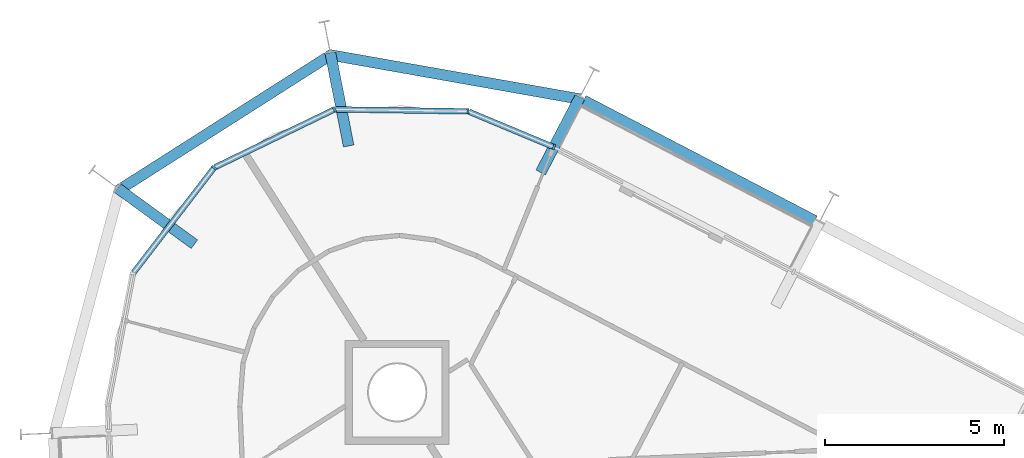
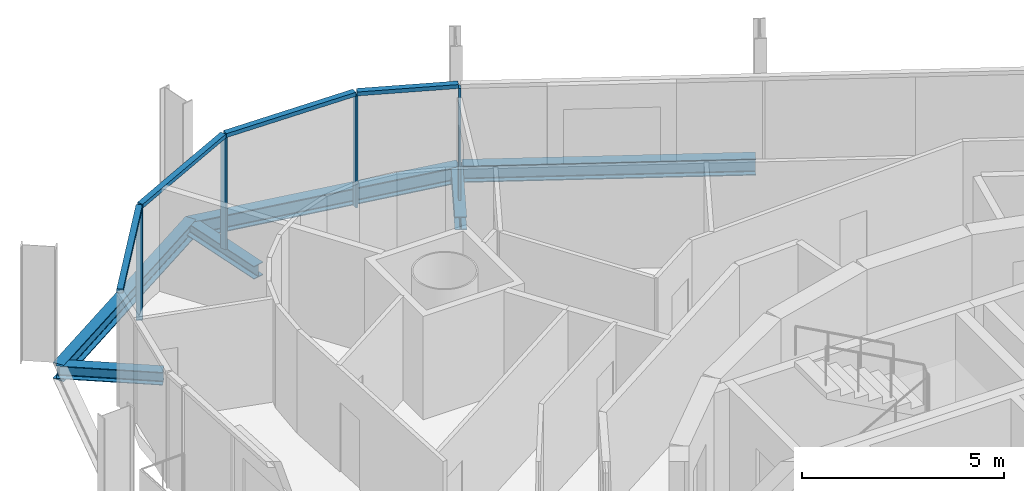
# One storey, part 8 of 18: 8 members, 6 beams, 1 element without a shape of its own.
"""IFC4 building model written with IfcOpenShell, lengths in metres."""

import ifcopenshell
import ifcopenshell.guid

model = None  # the IFC model being written
_history = None  # IfcOwnerHistory: only IFC2X3 demands one
_inside = {}  # id of a spatial element -> (the spatial element, [elements in it])
_under = {}  # id of a project, library or spatial element -> (it, [spatial elements below it])
_declared = {}  # id of a project -> (the project, [libraries it declares])
_typed = {}  # id of a type object -> (the type object, [elements of that type])
_made_of = {}  # id of a material, layer set ... -> (it, [elements and type objects made of it])


def new_model(schema):
    """Start an empty IFC model of exactly this schema.

    Asked for "IFC4X3", IfcOpenShell would pick the latest addendum, in which some entities
    have other attributes; the version numbers below select the first issue.
    IFC2X3 requires an IfcOwnerHistory on every rooted entity: one is made here for all.
    """
    global model, _history
    if schema == "IFC4X3":
        model = ifcopenshell.file(schema_version=(4, 3, 0, 0))
    else:
        model = ifcopenshell.file(schema=schema)
    _inside.clear()
    _under.clear()
    _declared.clear()
    _typed.clear()
    _made_of.clear()
    _history = None
    if model.schema == "IFC2X3":
        org = make("IfcOrganization", Name="unknown")
        user = make(
            "IfcPersonAndOrganization",
            ThePerson=make("IfcPerson", FamilyName="unknown"),
            TheOrganization=org,
        )
        app = make(
            "IfcApplication",
            ApplicationDeveloper=org,
            Version="unknown",
            ApplicationFullName="unknown",
            ApplicationIdentifier="unknown",
        )
        _history = make(
            "IfcOwnerHistory",
            OwningUser=user,
            OwningApplication=app,
            ChangeAction="ADDED",
            CreationDate=0,
        )
    return model


def make(cls, **values):
    """One entity of the class cls with the attributes given. An attribute that is None is left unset."""
    return model.create_entity(
        cls, **{name: value for name, value in values.items() if value is not None}
    )


def rooted(cls, **values):
    """An entity with a GlobalId (a new one), such as an element, a storey or a relation."""
    return make(cls, GlobalId=ifcopenshell.guid.new(), OwnerHistory=_history, **values)


def si_unit(unit_type, name, prefix=None):
    """IfcSIUnit, for example si_unit("LENGTHUNIT", "METRE", prefix="MILLI")."""
    return make("IfcSIUnit", UnitType=unit_type, Prefix=prefix, Name=name)


def assignment(units):
    """IfcUnitAssignment: the units of a project."""
    return None if units is None else make("IfcUnitAssignment", Units=units)


def point(xyz):
    """IfcCartesianPoint."""
    return None if xyz is None else make("IfcCartesianPoint", Coordinates=xyz)


def direction(xyz):
    """IfcDirection."""
    return None if xyz is None else make("IfcDirection", DirectionRatios=xyz)


def frame(location, z_axis=None, x_axis=None):
    """IfcAxis2Placement3D, a coordinate frame: its origin and axes. An axis left out is left unset."""
    return make(
        "IfcAxis2Placement3D",
        Location=point(location),
        Axis=direction(z_axis),
        RefDirection=direction(x_axis),
    )


def frame_2d(location, x_axis=None):
    """IfcAxis2Placement2D, a coordinate frame in the plane: its origin and x axis."""
    return make(
        "IfcAxis2Placement2D", Location=point(location), RefDirection=direction(x_axis)
    )


def origin():
    """The frame at (0, 0, 0) with its axes left unset."""
    return frame((0.0, 0.0, 0.0))


def origin_2d():
    """The frame at (0, 0) in the plane with its x axis left unset."""
    return frame_2d((0.0, 0.0))


def place(relative_to, where):
    """IfcLocalPlacement: puts the frame where relative to a parent placement (None: the world)."""
    return make(
        "IfcLocalPlacement", PlacementRelTo=relative_to, RelativePlacement=where
    )


def context(
    kind, dimensions, precision=None, world=None, true_north=None, identifier=None
):
    """IfcGeometricRepresentationContext, for example the 3D "Model" context."""
    return make(
        "IfcGeometricRepresentationContext",
        ContextIdentifier=identifier,
        ContextType=kind,
        CoordinateSpaceDimension=dimensions,
        Precision=precision,
        WorldCoordinateSystem=world,
        TrueNorth=true_north,
    )


def subcontext(parent, identifier, kind, view, scale=None):
    """IfcGeometricRepresentationSubContext, for example "Body" below "Model"."""
    return make(
        "IfcGeometricRepresentationSubContext",
        ContextIdentifier=identifier,
        ContextType=kind,
        ParentContext=parent,
        TargetScale=scale,
        TargetView=view,
    )


def project(units=None, contexts=None):
    """IfcProject with its units and contexts."""
    return rooted(
        "IfcProject",
        Name="project",
        RepresentationContexts=contexts,
        UnitsInContext=assignment(units),
    )


def spatial(cls, under=None, at=None, **own):
    """A site, building, storey or space (cls), placed at a placement, below another one or the project."""
    s = rooted(cls, ObjectPlacement=at, **own)
    if under is not None:
        _under.setdefault(under.id(), (under, []))[1].append(s)
    return s


def profile(cls, at=None, kind="AREA", **sizes):
    """A parametric profile (cls). Its sizes go by their IFC names, for example OverallWidth=200.0."""
    return make(cls, ProfileType=kind, Position=at, **sizes)


def rectangle(**sizes):
    """IfcRectangleProfileDef."""
    return profile("IfcRectangleProfileDef", **sizes)


def i_section(**sizes):
    """IfcIShapeProfileDef."""
    return profile("IfcIShapeProfileDef", **sizes)


def extrude(swept, where, along, depth):
    """IfcExtrudedAreaSolid: the profile swept, set in the frame where, extruded along a direction by depth."""
    return make(
        "IfcExtrudedAreaSolid",
        SweptArea=swept,
        Position=where,
        ExtrudedDirection=direction(along),
        Depth=depth,
    )


def shape(context_of_items, identifier, shape_type, items):
    """IfcShapeRepresentation: the items that make up one representation, for example the "Body"."""
    return make(
        "IfcShapeRepresentation",
        ContextOfItems=context_of_items,
        RepresentationIdentifier=identifier,
        RepresentationType=shape_type,
        Items=items,
    )


def material(Name=None, Category=None):
    """IfcMaterial."""
    return make("IfcMaterial", Name=Name, Category=Category)


def layer(
    of_material, thickness, ventilated=None, Name=None, Category=None, Priority=None
):
    """IfcMaterialLayer: one layer of a wall or slab, of a material (None: an air gap)."""
    return make(
        "IfcMaterialLayer",
        Material=of_material,
        LayerThickness=thickness,
        IsVentilated=ventilated,
        Name=Name,
        Category=Category,
        Priority=Priority,
    )


def layer_set(layers, Name=None):
    """IfcMaterialLayerSet."""
    return make("IfcMaterialLayerSet", MaterialLayers=layers, LayerSetName=Name)


def material_profile(
    of_material, cross_section, Name=None, Category=None, Priority=None
):
    """IfcMaterialProfile: a cross section and its material."""
    return make(
        "IfcMaterialProfile",
        Name=Name,
        Material=of_material,
        Profile=cross_section,
        Priority=Priority,
        Category=Category,
    )


def profile_set(profiles, Name=None, composite=None):
    """IfcMaterialProfileSet."""
    return make(
        "IfcMaterialProfileSet",
        Name=Name,
        MaterialProfiles=profiles,
        CompositeProfile=composite,
    )


def made_of(thing, what):
    """Note that an element or type object is made of a material, layer set ...; save() writes the relation."""
    if what is not None:
        _made_of.setdefault(what.id(), (what, []))[1].append(thing)
    return thing


def type_object(cls, material=None, **own):
    """A type object (cls), such as IfcWallType, which elements share."""
    return made_of(rooted(cls, **own), material)


def element(
    cls,
    number,
    at=None,
    inside=None,
    cuts=None,
    type_object=None,
    material=None,
    context=None,
    identifier="Body",
    shape_type=None,
    held_by="IfcProductDefinitionShape",
    body=None,
    shapes=None,
    **own,
):
    """One element of the class cls, such as IfcWall. Its Tag is "e" and its number.

    at: its placement. inside: the storey or other place that contains it. cuts: it is an
    opening in that element (IfcRelVoidsElement). A single representation is given by context,
    identifier, shape_type and body (its items); several are given by shapes. held_by: the class
    of the entity that holds the representations. save() writes the other relations.
    """
    e = rooted(cls, Tag="e%d" % number, ObjectPlacement=at, **own)
    if body is not None:
        shapes = [shape(context, identifier, shape_type, body)]
    if shapes is not None:
        e.Representation = make(held_by, Representations=shapes)
    if inside is not None:
        _inside.setdefault(inside.id(), (inside, []))[1].append(e)
    if cuts is not None:
        rooted(
            "IfcRelVoidsElement", RelatingBuildingElement=cuts, RelatedOpeningElement=e
        )
    if type_object is not None:
        _typed.setdefault(type_object.id(), (type_object, []))[1].append(e)
    return made_of(e, material)


def aggregate(whole, parts):
    """IfcRelAggregates: a whole, such as a stair, and the parts it consists of."""
    return rooted("IfcRelAggregates", RelatingObject=whole, RelatedObjects=parts)


def save(model, path):
    """Write the relations noted so far, then the file.

    IfcRelAggregates (storeys below a building ...), IfcRelContainedInSpatialStructure (elements
    in a storey), IfcRelDefinesByType, IfcRelAssociatesMaterial and IfcRelDeclares: one each for
    every whole, place, type object, material and project.
    """
    for whole, parts in _under.values():
        aggregate(whole, parts)
    for where, things in _inside.values():
        rooted(
            "IfcRelContainedInSpatialStructure",
            RelatedElements=things,
            RelatingStructure=where,
        )
    for kind, things in _typed.values():
        rooted("IfcRelDefinesByType", RelatedObjects=things, RelatingType=kind)
    for what, things in _made_of.values():
        rooted("IfcRelAssociatesMaterial", RelatedObjects=things, RelatingMaterial=what)
    for by, libraries in _declared.values():
        rooted("IfcRelDeclares", RelatingContext=by, RelatedDefinitions=libraries)
    model.write(path)


model = new_model("IFC4")

# Units and contexts
model_context = context("Model", 3, precision=1e-05, world=origin(), true_north=direction((0.0, 1.0)))
body_context = subcontext(model_context, "Body", "Model", "MODEL_VIEW")
ifc_project = project(units=[si_unit("LENGTHUNIT", "METRE"), si_unit("AREAUNIT", "SQUARE_METRE"), si_unit("VOLUMEUNIT", "CUBIC_METRE"), si_unit("PLANEANGLEUNIT", "RADIAN"), si_unit("MASSUNIT", "GRAM", prefix="KILO")], contexts=[model_context])

# Site, building, storey
site_placement = place(None, origin())
site = spatial("IfcSite", under=ifc_project, at=site_placement, CompositionType="ELEMENT")
building_placement = place(site_placement, origin())
building = spatial("IfcBuilding", under=site, at=building_placement, Name="Spindle Arch Residences", CompositionType="ELEMENT")
storey_placement = place(building_placement, frame((0.0, 0.0, 233.699951171875)))
storey = spatial("IfcBuildingStorey", under=building, at=storey_placement, Name="L59", CompositionType="ELEMENT", Elevation=233.699951171875)

# Curtain wall, members
ifc_material_1 = material(Name="Aluminium bronze unitised frame with tinted glass", Category="aluminium")
ifc_layer = layer(ifc_material_1, 0.159912109375)
ifc_layer_set = layer_set([ifc_layer], Name="CW-D corner wall on the fillet arcs")
curtain_wall_type = type_object("IfcCurtainWallType", Name="CW-D corner wall on the fillet arcs", PredefinedType="NOTDEFINED", material=ifc_layer_set)
curtain_wall_placement = place(storey_placement, origin())
curtain_wall = element("IfcCurtainWall", 1, at=curtain_wall_placement, inside=storey, type_object=curtain_wall_type, Name="CW-D L59 run 3", PredefinedType="NOTDEFINED")
ifc_material_2 = material(Name="Aluminium bronze anodised mullion", Category="aluminium")
ifc_material_profile_1 = material_profile(ifc_material_2, rectangle(XDim=0.159912109375, YDim=0.06005859375, at=origin_2d()), Name="MU 60x160")
ifc_profile_set_1 = profile_set([ifc_material_profile_1], Name="Aluminium bronze anodised mullion")
member_type_1 = type_object("IfcMemberType", Name="Bronze mullion 60x160", PredefinedType="MULLION", material=ifc_profile_set_1)
member_1_placement = place(storey_placement, frame((-6.19970703125, 23.423828125, -0.3798828125), z_axis=(0.0, 0.0, 1.0), x_axis=(-0.385552013734, -0.92268610302, 0.0)))
member_1 = element("IfcMember", 2, at=member_1_placement, type_object=member_type_1, Name="CW-D mullion 00", PredefinedType="MULLION", context=body_context, shape_type="SweptSolid", body=[
    extrude(rectangle(XDim=0.159912109375, YDim=0.06005859375, at=origin_2d()), origin(), (0.0, 0.0, 1.0), 3.3798828125),
])
member_2_placement = place(storey_placement, frame((-8.590576171875, 24.422607421875, -0.3798828125), z_axis=(0.0, 0.0, 1.0), x_axis=(-0.014543896145, -0.999894231949, 0.0)))
member_2 = element("IfcMember", 3, at=member_2_placement, type_object=member_type_1, Name="CW-D mullion 01", PredefinedType="MULLION", context=body_context, shape_type="SweptSolid", body=[
    extrude(rectangle(XDim=0.159912109375, YDim=0.06005859375, at=origin_2d()), origin(), (0.0, 0.0, 1.0), 3.3798828125),
])
member_3_placement = place(storey_placement, frame((-12.31689453125, 24.476806640625, -0.3798828125), z_axis=(0.0, 0.0, 1.0), x_axis=(0.435754815677, -0.900065409075, 0.0)))
member_3 = element("IfcMember", 4, at=member_3_placement, type_object=member_type_1, Name="CW-D mullion 02", PredefinedType="MULLION", context=body_context, shape_type="SweptSolid", body=[
    extrude(rectangle(XDim=0.159912109375, YDim=0.06005859375, at=origin_2d()), origin(), (0.0, 0.0, 1.0), 3.3798828125),
])
member_4_placement = place(storey_placement, frame((-15.671142578125, 22.85302734375, -0.3798828125), z_axis=(0.0, 0.0, 1.0), x_axis=(0.793353344679, -0.60876142329, 0.0)))
member_4 = element("IfcMember", 5, at=member_4_placement, type_object=member_type_1, Name="CW-D mullion 03", PredefinedType="MULLION", context=body_context, shape_type="SweptSolid", body=[
    extrude(rectangle(XDim=0.159912109375, YDim=0.06005859375, at=origin_2d()), origin(), (0.0, 0.0, 1.0), 3.3798828125),
])
ifc_material_3 = material(Name="Aluminium bronze anodised transom", Category="aluminium")
ifc_material_profile_2 = material_profile(ifc_material_3, rectangle(XDim=0.159912109375, YDim=0.1201171875, at=origin_2d()), Name="TR 120x160")
ifc_profile_set_2 = profile_set([ifc_material_profile_2], Name="Aluminium bronze anodised transom")
member_type_2 = type_object("IfcMemberType", Name="Bronze transom 120x160", PredefinedType="USERDEFINED", material=ifc_profile_set_2)
member_5_placement = place(storey_placement, frame((-6.2275390625, 23.435302734375, 3.06005859375), z_axis=(-0.922679730335, 0.385567264208, 0.0), x_axis=(-0.385567264208, -0.922679730335, 0.0)))
member_5 = element("IfcMember", 6, at=member_5_placement, type_object=member_type_2, Name="CW-D transom 00", ObjectType="TRANSOM", PredefinedType="USERDEFINED", context=body_context, shape_type="SweptSolid", body=[
    extrude(rectangle(XDim=0.159912109375, YDim=0.1201171875, at=origin_2d()), origin(), (0.0, 0.0, 1.0), 2.531005859375),
])
member_6_placement = place(storey_placement, frame((-8.620361328125, 24.423095703125, 3.06005859375), z_axis=(-0.999893692287, 0.014580950766, 0.0), x_axis=(-0.014580950766, -0.999893692287, 0.0)))
member_6 = element("IfcMember", 7, at=member_6_placement, type_object=member_type_2, Name="CW-D transom 01", ObjectType="TRANSOM", PredefinedType="USERDEFINED", context=body_context, shape_type="SweptSolid", body=[
    extrude(rectangle(XDim=0.159912109375, YDim=0.1201171875, at=origin_2d()), origin(), (0.0, 0.0, 1.0), 3.6669921875),
])
member_7_placement = place(storey_placement, frame((-12.34375, 24.4638671875, 3.06005859375), z_axis=(-0.900053962869, -0.435778457388, 0.0), x_axis=(0.435778457388, -0.900053962869, 0.0)))
member_7 = element("IfcMember", 8, at=member_7_placement, type_object=member_type_2, Name="CW-D transom 02", ObjectType="TRANSOM", PredefinedType="USERDEFINED", context=body_context, shape_type="SweptSolid", body=[
    extrude(rectangle(XDim=0.159912109375, YDim=0.1201171875, at=origin_2d()), origin(), (0.0, 0.0, 1.0), 3.666748046875),
])
member_8_placement = place(storey_placement, frame((-15.689453125, 22.8291015625, 3.06005859375), z_axis=(-0.608773956943, -0.793343727112, 0.0), x_axis=(0.793343727112, -0.608773956943, 0.0)))
member_8 = element("IfcMember", 9, at=member_8_placement, type_object=member_type_2, Name="CW-D transom 03", ObjectType="TRANSOM", PredefinedType="USERDEFINED", context=body_context, shape_type="SweptSolid", body=[
    extrude(rectangle(XDim=0.159912109375, YDim=0.1201171875, at=origin_2d()), origin(), (0.0, 0.0, 1.0), 3.666748046875),
])
aggregate(curtain_wall, [member_1, member_5, member_2, member_6, member_3, member_7, member_4, member_8])

# Beams
ifc_material_4 = material(Name="Steel S460ML, intumescent coating R 120", Category="steel")
ifc_material_profile_3 = material_profile(ifc_material_4, i_section(OverallWidth=0.300048828125, OverallDepth=0.5, WebThickness=0.014404296875, FlangeThickness=0.028076171875, FilletRadius=0.027099609375, at=origin_2d()), Name="HEB 500")
ifc_profile_set_3 = profile_set([ifc_material_profile_3], Name="Steel S460ML, intumescent coating R 120")
beam_type_1 = type_object("IfcBeamType", Name="Exoskeleton edge beam HEB 500", PredefinedType="BEAM", material=ifc_profile_set_3)
beam_1_placement = place(storey_placement, frame((1.0751953125, 21.372802734375, -0.6298828125), z_axis=(-0.887007222688, 0.461755548857, 0.0), x_axis=(-0.461755548857, -0.887007222688, 0.0)))
element("IfcBeam", 10, at=beam_1_placement, inside=storey, type_object=beam_type_1, Name="Exoskeleton edge beam 9", PredefinedType="BEAM", context=body_context, shape_type="SweptSolid", body=[
    extrude(i_section(OverallWidth=0.300048828125, OverallDepth=0.5, WebThickness=0.014404296875, FlangeThickness=0.028076171875, FilletRadius=0.027099609375, at=origin_2d()), origin(), (0.0, 0.0, 1.0), 7.27001953125),
])
beam_2_placement = place(storey_placement, frame((-5.46337890625, 24.762939453125, -0.6298828125), z_axis=(-0.984720537274, 0.174142078404, 0.0), x_axis=(-0.174142078404, -0.984720537274, 0.0)))
element("IfcBeam", 11, at=beam_2_placement, inside=storey, type_object=beam_type_1, Name="Exoskeleton edge beam 10", PredefinedType="BEAM", context=body_context, shape_type="SweptSolid", body=[
    extrude(i_section(OverallWidth=0.300048828125, OverallDepth=0.5, WebThickness=0.014404296875, FlangeThickness=0.028076171875, FilletRadius=0.027099609375, at=origin_2d()), origin(), (0.0, 0.0, 1.0), 7.105224609375),
])
beam_3_placement = place(storey_placement, frame((-12.371337890625, 26.0234375, -0.6298828125), z_axis=(-0.843392249939, -0.537298346119, 0.0), x_axis=(0.537298346119, -0.843392249939, 0.0)))
element("IfcBeam", 12, at=beam_3_placement, inside=storey, type_object=beam_type_1, Name="Exoskeleton edge beam 11", PredefinedType="BEAM", context=body_context, shape_type="SweptSolid", body=[
    extrude(i_section(OverallWidth=0.300048828125, OverallDepth=0.5, WebThickness=0.014404296875, FlangeThickness=0.028076171875, FilletRadius=0.027099609375, at=origin_2d()), origin(), (0.0, 0.0, 1.0), 7.09716796875),
])
ifc_material_5 = material(Name="Steel S460ML, intumescent coating R 120", Category="steel")
ifc_material_profile_4 = material_profile(ifc_material_5, i_section(OverallWidth=0.300048828125, OverallDepth=0.389892578125, WebThickness=0.010986328125, FlangeThickness=0.01904296875, FilletRadius=0.027099609375, at=origin_2d()), Name="HEA 400")
ifc_profile_set_4 = profile_set([ifc_material_profile_4], Name="Steel S460ML, intumescent coating R 120")
beam_type_2 = type_object("IfcBeamType", Name="Floor outrigger HEA 400", PredefinedType="BEAM", material=ifc_profile_set_4)
beam_4_placement = place(storey_placement, frame((-5.474853515625, 24.81640625, -0.574951171875), z_axis=(-0.46171971426, -0.887025876434, 0.0), x_axis=(0.887025876434, -0.46171971426, 0.0)))
element("IfcBeam", 13, at=beam_4_placement, inside=storey, type_object=beam_type_2, Name="Floor outrigger 10", PredefinedType="BEAM", context=body_context, shape_type="SweptSolid", body=[
    extrude(i_section(OverallWidth=0.300048828125, OverallDepth=0.389892578125, WebThickness=0.010986328125, FlangeThickness=0.01904296875, FilletRadius=0.027099609375, at=origin_2d()), origin(), (0.0, 0.0, 1.0), 2.36669921875),
])
beam_5_placement = place(storey_placement, frame((-12.4326171875, 26.056640625, -0.574951171875), z_axis=(0.193191977973, -0.981160975399, 0.0), x_axis=(0.981160975399, 0.193191977973, 0.0)))
element("IfcBeam", 14, at=beam_5_placement, inside=storey, type_object=beam_type_2, Name="Floor outrigger 11", PredefinedType="BEAM", context=body_context, shape_type="SweptSolid", body=[
    extrude(i_section(OverallWidth=0.300048828125, OverallDepth=0.389892578125, WebThickness=0.010986328125, FlangeThickness=0.01904296875, FilletRadius=0.027099609375, at=origin_2d()), origin(), (0.0, 0.0, 1.0), 2.64990234375),
])
beam_6_placement = place(storey_placement, frame((-18.361083984375, 22.27978515625, -0.574951171875), z_axis=(0.807563254959, -0.589780967174, 0.0), x_axis=(0.589780967174, 0.807563254959, 0.0)))
element("IfcBeam", 15, at=beam_6_placement, inside=storey, type_object=beam_type_2, Name="Floor outrigger 12", PredefinedType="BEAM", context=body_context, shape_type="SweptSolid", body=[
    extrude(i_section(OverallWidth=0.300048828125, OverallDepth=0.389892578125, WebThickness=0.010986328125, FlangeThickness=0.01904296875, FilletRadius=0.027099609375, at=origin_2d()), origin(), (0.0, 0.0, 1.0), 2.650146484375),
])

save(model, "model.ifc")
